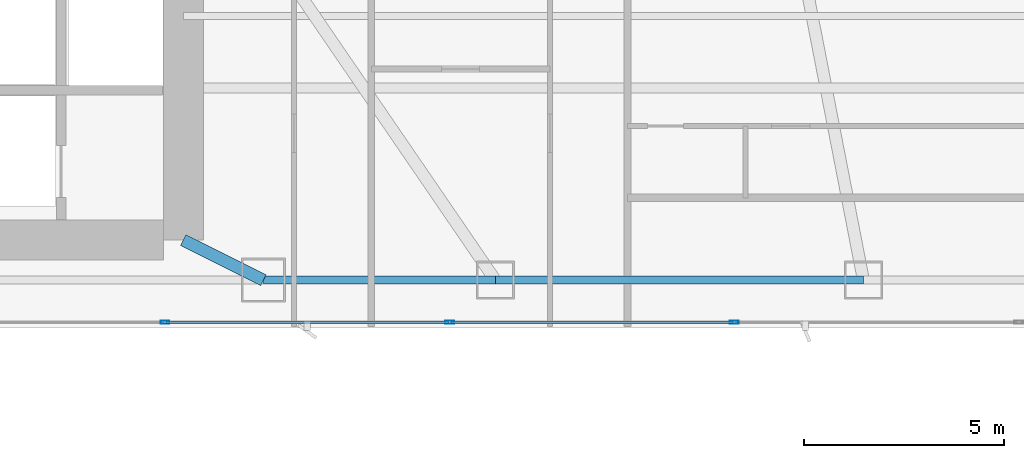
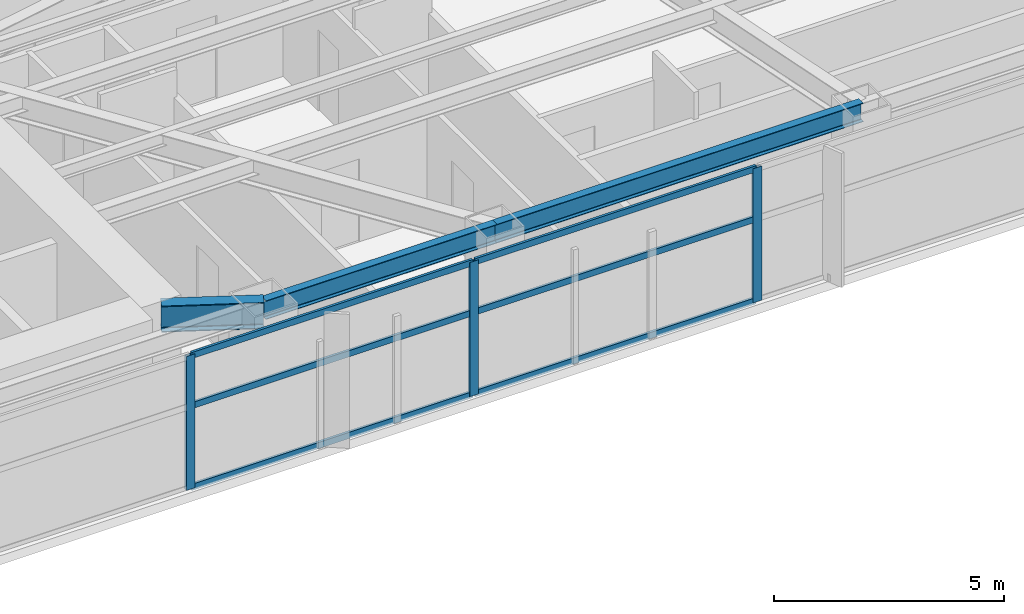
# One storey, part 12 of 30: 9 members, 3 beams, 1 element without a shape of its own.
"""IFC4 building model written with IfcOpenShell, lengths in metres."""

from ifc_helpers import new_model, si_unit, direction, frame, origin, origin_2d, place, context, subcontext, project, spatial, hollow_rectangle, i_section, extrude, material, layer, layer_set, material_profile, profile_set, type_object, element, aggregate, save


model = new_model("IFC4")

# Units and contexts
model_context = context("Model", 3, precision=1e-05, world=origin(), true_north=direction((0.0, 1.0)))
body_context = subcontext(model_context, "Body", "Model", "MODEL_VIEW")
ifc_project = project(units=[si_unit("LENGTHUNIT", "METRE"), si_unit("AREAUNIT", "SQUARE_METRE"), si_unit("VOLUMEUNIT", "CUBIC_METRE"), si_unit("PLANEANGLEUNIT", "RADIAN"), si_unit("MASSUNIT", "GRAM", prefix="KILO")], contexts=[model_context])

# Site, building, storey
site_placement = place(None, origin())
site = spatial("IfcSite", under=ifc_project, at=site_placement, CompositionType="ELEMENT")
building_placement = place(site_placement, origin())
building = spatial("IfcBuilding", under=site, at=building_placement, Name="Calvorn Quay Hotel", CompositionType="ELEMENT")
storey_placement = place(building_placement, frame((0.0, 0.0, 73.60009765625)))
storey = spatial("IfcBuildingStorey", under=building, at=storey_placement, Name="L17", CompositionType="ELEMENT", Elevation=73.60009765625)

# Beams
ifc_material_1 = material(Name="Steel Q390GJC", Category="steel")
ifc_material_profile_1 = material_profile(ifc_material_1, i_section(OverallWidth=0.300048828125, OverallDepth=0.699951171875, WebThickness=0.012939453125, FlangeThickness=0.02392578125, FilletRadius=0.02392578125, at=origin_2d()), Name="HN700x300x13x24")
ifc_profile_set_1 = profile_set([ifc_material_profile_1], Name="Steel Q390GJC")
beam_type_1 = type_object("IfcBeamType", Name="BM-GIRD-MAIN", PredefinedType="BEAM", material=ifc_profile_set_1)
beam_1_placement = place(storey_placement, frame((34.39990234375, 3.60009765625, 3.18994140625), z_axis=(-0.894427191, 0.4472135955, 0.0), x_axis=(-0.4472135955, -0.894427191, 0.0)))
element("IfcBeam", 1, at=beam_1_placement, inside=storey, type_object=beam_type_1, Name="Beam BG-L17-S3", PredefinedType="BEAM", context=body_context, shape_type="SweptSolid", body=[
    extrude(i_section(OverallWidth=0.300048828125, OverallDepth=0.699951171875, WebThickness=0.012939453125, FlangeThickness=0.02392578125, FilletRadius=0.02392578125, at=origin_2d()), origin(), (0.0, 0.0, 1.0), 2.236083984375),
])
ifc_material_2 = material(Name="Steel Q355B", Category="steel")
ifc_material_profile_2 = material_profile(ifc_material_2, i_section(OverallWidth=0.199951171875, OverallDepth=0.5, WebThickness=0.010009765625, FlangeThickness=0.01611328125, FilletRadius=0.01611328125, at=origin_2d()), Name="HN500x200x10x16")
ifc_profile_set_2 = profile_set([ifc_material_profile_2], Name="Steel Q355B")
beam_type_2 = type_object("IfcBeamType", Name="BM-SPANDREL-Z1", PredefinedType="SPANDREL", material=ifc_profile_set_2)
beam_2_placement = place(storey_placement, frame((34.39990234375, 3.60009765625, 3.289794921875), z_axis=(1.0, 0.0, 0.0), x_axis=(0.0, 1.0, 0.0)))
element("IfcBeam", 2, at=beam_2_placement, inside=storey, type_object=beam_type_2, Name="Beam BSP-L17-S4", PredefinedType="SPANDREL", context=body_context, shape_type="SweptSolid", body=[
    extrude(i_section(OverallWidth=0.199951171875, OverallDepth=0.5, WebThickness=0.010009765625, FlangeThickness=0.01611328125, FilletRadius=0.01611328125, at=origin_2d()), origin(), (0.0, 0.0, 1.0), 5.800048828125),
])
beam_3_placement = place(storey_placement, frame((40.199951171875, 3.60009765625, 3.289794921875), z_axis=(1.0, 0.0, 0.0), x_axis=(0.0, 1.0, 0.0)))
element("IfcBeam", 3, at=beam_3_placement, inside=storey, type_object=beam_type_2, Name="Beam BSP-L17-S5", PredefinedType="SPANDREL", context=body_context, shape_type="SweptSolid", body=[
    extrude(i_section(OverallWidth=0.199951171875, OverallDepth=0.5, WebThickness=0.010009765625, FlangeThickness=0.01611328125, FilletRadius=0.01611328125, at=origin_2d()), origin(), (0.0, 0.0, 1.0), 9.199951171875),
])

# Curtain wall, members
ifc_material_3 = material(Name="Pale Anodised Aluminium and Low-E Glass", Category="aluminium")
ifc_layer = layer(ifc_material_3, 0.219970703125)
ifc_layer_set = layer_set([ifc_layer], Name="CW-SYS-Z1")
curtain_wall_type = type_object("IfcCurtainWallType", Name="CW-SYS-Z1", PredefinedType="NOTDEFINED", material=ifc_layer_set)
curtain_wall_placement = place(storey_placement, origin())
curtain_wall = element("IfcCurtainWall", 4, at=curtain_wall_placement, inside=storey, type_object=curtain_wall_type, Name="Tower South Waterfront Curtain Wall (L17)", PredefinedType="NOTDEFINED")
ifc_material_4 = material(Name="Pale Anodised Aluminium 6063-T6", Category="aluminium")
ifc_material_profile_3 = material_profile(ifc_material_4, hollow_rectangle(XDim=0.074951171875, YDim=0.219970703125, WallThickness=0.00439453125, at=origin_2d()), Name="ALU-M220x75x4.5")
ifc_profile_set_3 = profile_set([ifc_material_profile_3], Name="Pale Anodised Aluminium 6063-T6")
member_type_1 = type_object("IfcMemberType", Name="CW-SYS-Z1-MUL", PredefinedType="MULLION", material=ifc_profile_set_3)
member_1_placement = place(storey_placement, frame((31.94287109375, 2.550048828125, 0.0), z_axis=(0.0, 0.0, 1.0), x_axis=(0.0, 1.0, 0.0)))
member_1 = element("IfcMember", 5, at=member_1_placement, type_object=member_type_1, Name="CW-L17-S mullion 4", PredefinedType="MULLION", context=body_context, shape_type="SweptSolid", body=[
    extrude(hollow_rectangle(XDim=0.074951171875, YDim=0.219970703125, WallThickness=0.00439453125, at=origin_2d()), origin(), (0.0, 0.0, 1.0), 3.559814453125),
])
member_2_placement = place(storey_placement, frame((39.05712890625, 2.550048828125, 0.0), z_axis=(0.0, 0.0, 1.0), x_axis=(0.0, 1.0, 0.0)))
member_2 = element("IfcMember", 6, at=member_2_placement, type_object=member_type_1, Name="CW-L17-S mullion 5", PredefinedType="MULLION", context=body_context, shape_type="SweptSolid", body=[
    extrude(hollow_rectangle(XDim=0.074951171875, YDim=0.219970703125, WallThickness=0.00439453125, at=origin_2d()), origin(), (0.0, 0.0, 1.0), 3.559814453125),
])
member_3_placement = place(storey_placement, frame((46.17138671875, 2.550048828125, 0.0), z_axis=(0.0, 0.0, 1.0), x_axis=(0.0, 1.0, 0.0)))
member_3 = element("IfcMember", 7, at=member_3_placement, type_object=member_type_1, Name="CW-L17-S mullion 6", PredefinedType="MULLION", context=body_context, shape_type="SweptSolid", body=[
    extrude(hollow_rectangle(XDim=0.074951171875, YDim=0.219970703125, WallThickness=0.00439453125, at=origin_2d()), origin(), (0.0, 0.0, 1.0), 3.559814453125),
])
ifc_material_5 = material(Name="Pale Anodised Aluminium 6063-T6", Category="aluminium")
ifc_material_profile_4 = material_profile(ifc_material_5, hollow_rectangle(XDim=0.06494140625, YDim=0.1650390625, WallThickness=0.00341796875, at=origin_2d()), Name="ALU-T165x65x3.5")
ifc_profile_set_4 = profile_set([ifc_material_profile_4], Name="Pale Anodised Aluminium 6063-T6")
member_type_2 = type_object("IfcMemberType", Name="CW-SYS-Z1-TRN", PredefinedType="USERDEFINED", material=ifc_profile_set_4)
member_4_placement = place(storey_placement, frame((31.972900390625, 2.550048828125, 0.02978515625), z_axis=(1.0, 0.0, 0.0), x_axis=(0.0, 1.0, 0.0)))
member_4 = element("IfcMember", 8, at=member_4_placement, type_object=member_type_2, Name="CW-L17-S transom 4.1", ObjectType="TRANSOM", PredefinedType="USERDEFINED", context=body_context, shape_type="SweptSolid", body=[
    extrude(hollow_rectangle(XDim=0.06494140625, YDim=0.1650390625, WallThickness=0.00341796875, at=origin_2d()), origin(), (0.0, 0.0, 1.0), 7.05419921875),
])
member_5_placement = place(storey_placement, frame((31.972900390625, 2.550048828125, 2.199951171875), z_axis=(1.0, 0.0, 0.0), x_axis=(0.0, 1.0, 0.0)))
member_5 = element("IfcMember", 9, at=member_5_placement, type_object=member_type_2, Name="CW-L17-S transom 4.2", ObjectType="TRANSOM", PredefinedType="USERDEFINED", context=body_context, shape_type="SweptSolid", body=[
    extrude(hollow_rectangle(XDim=0.06494140625, YDim=0.1650390625, WallThickness=0.00341796875, at=origin_2d()), origin(), (0.0, 0.0, 1.0), 7.05419921875),
])
member_6_placement = place(storey_placement, frame((31.972900390625, 2.550048828125, 3.52978515625), z_axis=(1.0, 0.0, 0.0), x_axis=(0.0, 1.0, 0.0)))
member_6 = element("IfcMember", 10, at=member_6_placement, type_object=member_type_2, Name="CW-L17-S transom 4.3", ObjectType="TRANSOM", PredefinedType="USERDEFINED", context=body_context, shape_type="SweptSolid", body=[
    extrude(hollow_rectangle(XDim=0.06494140625, YDim=0.1650390625, WallThickness=0.00341796875, at=origin_2d()), origin(), (0.0, 0.0, 1.0), 7.05419921875),
])
member_7_placement = place(storey_placement, frame((39.087158203125, 2.550048828125, 0.02978515625), z_axis=(1.0, 0.0, 0.0), x_axis=(0.0, 1.0, 0.0)))
member_7 = element("IfcMember", 11, at=member_7_placement, type_object=member_type_2, Name="CW-L17-S transom 5.1", ObjectType="TRANSOM", PredefinedType="USERDEFINED", context=body_context, shape_type="SweptSolid", body=[
    extrude(hollow_rectangle(XDim=0.06494140625, YDim=0.1650390625, WallThickness=0.00341796875, at=origin_2d()), origin(), (0.0, 0.0, 1.0), 7.05419921875),
])
member_8_placement = place(storey_placement, frame((39.087158203125, 2.550048828125, 2.199951171875), z_axis=(1.0, 0.0, 0.0), x_axis=(0.0, 1.0, 0.0)))
member_8 = element("IfcMember", 12, at=member_8_placement, type_object=member_type_2, Name="CW-L17-S transom 5.2", ObjectType="TRANSOM", PredefinedType="USERDEFINED", context=body_context, shape_type="SweptSolid", body=[
    extrude(hollow_rectangle(XDim=0.06494140625, YDim=0.1650390625, WallThickness=0.00341796875, at=origin_2d()), origin(), (0.0, 0.0, 1.0), 7.05419921875),
])
member_9_placement = place(storey_placement, frame((39.087158203125, 2.550048828125, 3.52978515625), z_axis=(1.0, 0.0, 0.0), x_axis=(0.0, 1.0, 0.0)))
member_9 = element("IfcMember", 13, at=member_9_placement, type_object=member_type_2, Name="CW-L17-S transom 5.3", ObjectType="TRANSOM", PredefinedType="USERDEFINED", context=body_context, shape_type="SweptSolid", body=[
    extrude(hollow_rectangle(XDim=0.06494140625, YDim=0.1650390625, WallThickness=0.00341796875, at=origin_2d()), origin(), (0.0, 0.0, 1.0), 7.05419921875),
])
aggregate(curtain_wall, [member_1, member_2, member_3, member_4, member_5, member_6, member_7, member_8, member_9])

save(model, "model.ifc")
